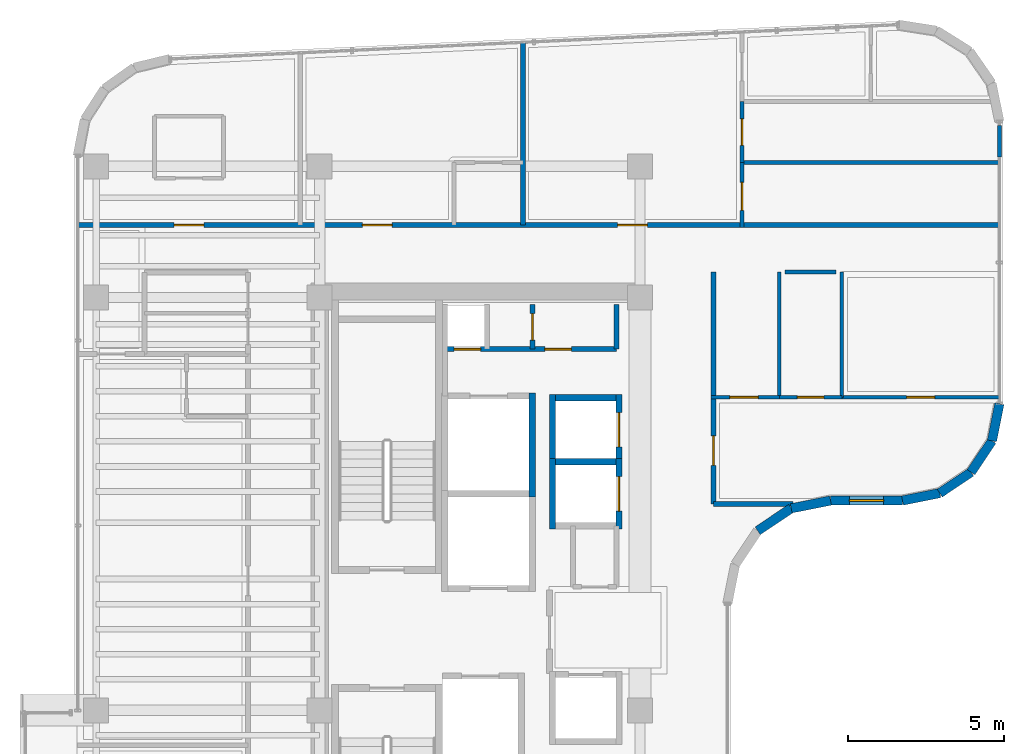
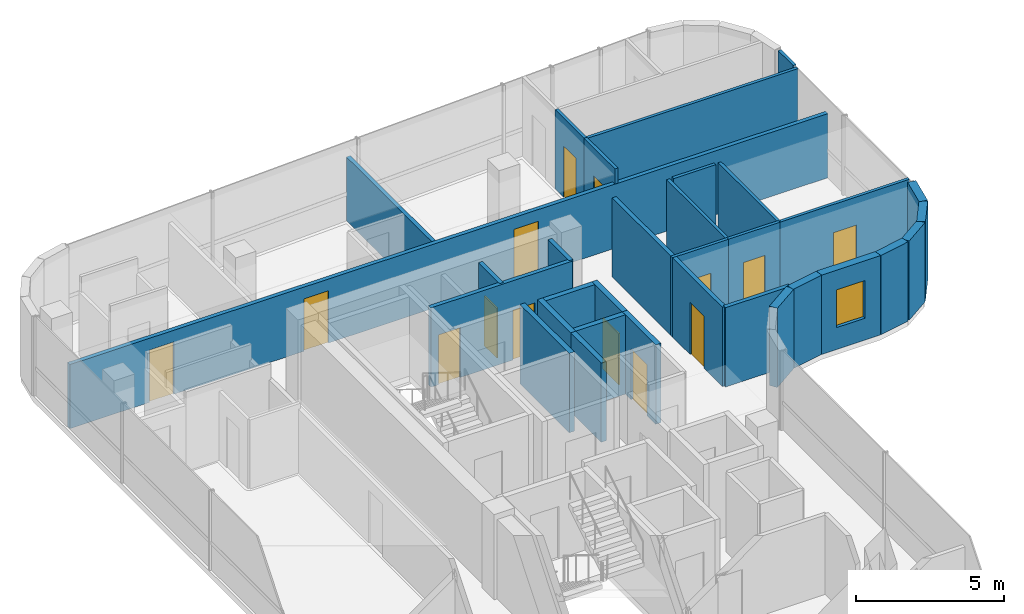
# One storey, part 16 of 19: 31 walls, 14 doors, 1 window, 15 openings.
"""IFC4 building model written with IfcOpenShell, lengths in metres."""

from ifc_helpers import new_model, si_unit, direction, frame, frame_2d, origin, place, context, subcontext, project, spatial, rectangle, extrude, material, layer, layer_set, type_object, element, fill, save


model = new_model("IFC4")

# Units and contexts
model_context = context("Model", 3, precision=1e-05, world=origin(), true_north=direction((0.0, 1.0)))
body_context = subcontext(model_context, "Body", "Model", "MODEL_VIEW")
ifc_project = project(units=[si_unit("LENGTHUNIT", "METRE"), si_unit("AREAUNIT", "SQUARE_METRE"), si_unit("VOLUMEUNIT", "CUBIC_METRE"), si_unit("PLANEANGLEUNIT", "RADIAN"), si_unit("MASSUNIT", "GRAM", prefix="KILO")], contexts=[model_context])

# Site, building, storey
site_placement = place(None, origin())
site = spatial("IfcSite", under=ifc_project, at=site_placement, CompositionType="ELEMENT")
building_placement = place(site_placement, origin())
building = spatial("IfcBuilding", under=site, at=building_placement, Name="Valdorenza Pilgrim Sanctuary Tower", CompositionType="ELEMENT")
storey_placement = place(building_placement, frame((0.0, 0.0, 269.5)))
storey = spatial("IfcBuildingStorey", under=building, at=storey_placement, Name="L70", CompositionType="ELEMENT", Elevation=269.5)

# Wall, openings, doors
ifc_material_1 = material(Name="Acoustic twin-stud gypsum partition", Category="gypsum")
ifc_layer_1 = layer(ifc_material_1, 0.159912109375, Name="Acoustic twin-stud gypsum partition")
ifc_layer_set_1 = layer_set([ifc_layer_1], Name="Acoustic twin-stud gypsum partition")
wall_type_1 = type_object("IfcWallType", Name="WAL-COR-160", PredefinedType="PARTITIONING", material=ifc_layer_set_1)
wall_1_placement = place(storey_placement, frame((-18.64990234375, 8.949951171875, 0.0), z_axis=(0.0, 0.0, 1.0), x_axis=(1.0, 0.0, 0.0)))
wall_1 = element("IfcWall", 1, at=wall_1_placement, inside=storey, type_object=wall_type_1, Name="L70 Core A North Service South Wall", PredefinedType="PARTITIONING", context=body_context, shape_type="SweptSolid", body=[
    extrude(rectangle(XDim=5.5, YDim=0.159912109375, at=frame_2d((2.75, 0.0))), origin(), (0.0, 0.0, 1.0), 3.260009765625),
])
opening_1_placement = place(wall_1_placement, frame((0.300048828125, 0.0, 0.0)))
opening_1 = element("IfcOpeningElement", 2, at=opening_1_placement, cuts=wall_1, Name="Opening DR-RS1", PredefinedType="OPENING", context=body_context, shape_type="SweptSolid", body=[
    extrude(rectangle(XDim=0.85009765625, YDim=2.050048828125, at=frame_2d((0.425048828125, 1.02490234375))), frame((0.0, 0.0947265625, 0.0), z_axis=(0.0, -1.0, 0.0), x_axis=(1.0, 0.0, 0.0)), (0.0, 0.0, 1.0), 0.189697265625),
])
opening_2_placement = place(wall_1_placement, frame((3.199951171875, 0.0, 0.0)))
opening_2 = element("IfcOpeningElement", 3, at=opening_2_placement, cuts=wall_1, Name="Opening DR-RS1", PredefinedType="OPENING", context=body_context, shape_type="SweptSolid", body=[
    extrude(rectangle(XDim=0.85009765625, YDim=2.050048828125, at=frame_2d((0.425048828125, 1.02490234375))), frame((0.0, 0.0947265625, 0.0), z_axis=(0.0, -1.0, 0.0), x_axis=(1.0, 0.0, 0.0)), (0.0, 0.0, 1.0), 0.189697265625),
])
ifc_material_2 = material(Name="Painted galvanized steel", Category="steel")
door_type_1 = type_object("IfcDoorType", Name="DR-RSR-850", OperationType="NOTDEFINED", PredefinedType="DOOR", material=ifc_material_2)
door_1_placement = place(opening_1_placement, origin())
door_1 = element("IfcDoor", 4, at=door_1_placement, inside=storey, type_object=door_type_1, Name="L70 Core Electrical and Telecom Riser Door", OperationType="SINGLE_SWING_LEFT", OverallHeight=2.050048828125, OverallWidth=0.85009765625, PredefinedType="DOOR", context=body_context, shape_type="SweptSolid", body=[
    extrude(rectangle(XDim=0.85009765625, YDim=2.050048828125, at=frame_2d((0.425048828125, 1.02490234375))), frame((0.0, 0.02490234375, 0.0), z_axis=(0.0, -1.0, 0.0), x_axis=(1.0, 0.0, 0.0)), (0.0, 0.0, 1.0), 0.050048828125),
])
fill(opening_1, door_1)
door_2_placement = place(opening_2_placement, origin())
door_2 = element("IfcDoor", 5, at=door_2_placement, inside=storey, type_object=door_type_1, Name="L70 Housekeeping and Clean Linen Room Door", OperationType="SINGLE_SWING_RIGHT", OverallHeight=2.050048828125, OverallWidth=0.85009765625, PredefinedType="DOOR", context=body_context, shape_type="SweptSolid", body=[
    extrude(rectangle(XDim=0.85009765625, YDim=2.050048828125, at=frame_2d((0.425048828125, 1.02490234375))), frame((0.0, 0.02490234375, 0.0), z_axis=(0.0, -1.0, 0.0), x_axis=(1.0, 0.0, 0.0)), (0.0, 0.0, 1.0), 0.050048828125),
])
fill(opening_2, door_2)

# Wall
wall_2_placement = place(storey_placement, frame((-13.14990234375, 8.949951171875, 0.0), z_axis=(0.0, 0.0, 1.0), x_axis=(0.0, 1.0, 0.0)))
element("IfcWall", 6, at=wall_2_placement, inside=storey, type_object=wall_type_1, Name="L70 Core A North Service East Wall", PredefinedType="PARTITIONING", context=body_context, shape_type="SweptSolid", body=[
    extrude(rectangle(XDim=1.429931640625, YDim=0.159912109375, at=frame_2d((0.71484375, 0.0))), origin(), (0.0, 0.0, 1.0), 3.260009765625),
])

# Wall, opening, door
wall_3_placement = place(storey_placement, frame((-15.85009765625, 8.949951171875, 0.0), z_axis=(0.0, 0.0, 1.0), x_axis=(0.0, 1.0, 0.0)))
wall_3 = element("IfcWall", 7, at=wall_3_placement, inside=storey, type_object=wall_type_1, Name="L70 Core A Split C", PredefinedType="PARTITIONING", context=body_context, shape_type="SweptSolid", body=[
    extrude(rectangle(XDim=1.429931640625, YDim=0.159912109375, at=frame_2d((0.71484375, 0.0))), origin(), (0.0, 0.0, 1.0), 3.260009765625),
])
opening_3_placement = place(wall_3_placement, frame((0.2900390625, 0.0, 0.0)))
opening_3 = element("IfcOpeningElement", 8, at=opening_3_placement, cuts=wall_3, Name="Opening DR-RS1", PredefinedType="OPENING", context=body_context, shape_type="SweptSolid", body=[
    extrude(rectangle(XDim=0.85009765625, YDim=2.050048828125, at=frame_2d((0.425048828125, 1.02490234375))), frame((0.0, 0.0947265625, 0.0), z_axis=(0.0, -1.0, 0.0), x_axis=(1.0, 0.0, 0.0)), (0.0, 0.0, 1.0), 0.189697265625),
])
door_3_placement = place(opening_3_placement, origin())
door_3 = element("IfcDoor", 9, at=door_3_placement, inside=storey, type_object=door_type_1, Name="L70 Clean Linen Supply Store Door", OperationType="SINGLE_SWING_LEFT", OverallHeight=2.050048828125, OverallWidth=0.85009765625, PredefinedType="DOOR", context=body_context, shape_type="SweptSolid", body=[
    extrude(rectangle(XDim=0.85009765625, YDim=2.050048828125, at=frame_2d((0.425048828125, 1.02490234375))), frame((0.0, 0.02490234375, 0.0), z_axis=(0.0, -1.0, 0.0), x_axis=(1.0, 0.0, 0.0)), (0.0, 0.0, 1.0), 0.050048828125),
])
fill(opening_3, door_3)

# Wall, openings, doors
wall_4_placement = place(storey_placement, frame((-30.389892578125, 12.919921875, 0.0), z_axis=(0.0, 0.0, 1.0), x_axis=(1.0, 0.0, 0.0)))
wall_4 = element("IfcWall", 10, at=wall_4_placement, inside=storey, type_object=wall_type_1, Name="L70 North Corridor Wall", PredefinedType="PARTITIONING", context=body_context, shape_type="SweptSolid", body=[
    extrude(rectangle(XDim=29.47998046875, YDim=0.159912109375, at=frame_2d((14.739990234375, 0.0))), origin(), (0.0, 0.0, 1.0), 2.634033203125),
])
opening_4_placement = place(wall_4_placement, frame((3.0849609375, 0.0, 0.0)))
opening_4 = element("IfcOpeningElement", 11, at=opening_4_placement, cuts=wall_4, Name="Opening DR-UN1", PredefinedType="OPENING", context=body_context, shape_type="SweptSolid", body=[
    extrude(rectangle(XDim=0.949951171875, YDim=2.14990234375, at=frame_2d((0.47509765625, 1.074951171875))), frame((0.0, 0.0947265625, 0.0), z_axis=(0.0, -1.0, 0.0), x_axis=(1.0, 0.0, 0.0)), (0.0, 0.0, 1.0), 0.189697265625),
])
opening_5_placement = place(wall_4_placement, frame((9.10498046875, 0.0, 0.0)))
opening_5 = element("IfcOpeningElement", 12, at=opening_5_placement, cuts=wall_4, Name="Opening DR-UN1", PredefinedType="OPENING", context=body_context, shape_type="SweptSolid", body=[
    extrude(rectangle(XDim=0.949951171875, YDim=2.14990234375, at=frame_2d((0.47509765625, 1.074951171875))), frame((0.0, 0.0947265625, 0.0), z_axis=(0.0, -1.0, 0.0), x_axis=(1.0, 0.0, 0.0)), (0.0, 0.0, 1.0), 0.189697265625),
])
opening_6_placement = place(wall_4_placement, frame((17.27001953125, 0.0, 0.0)))
opening_6 = element("IfcOpeningElement", 13, at=opening_6_placement, cuts=wall_4, Name="Opening DR-UN1", PredefinedType="OPENING", context=body_context, shape_type="SweptSolid", body=[
    extrude(rectangle(XDim=0.949951171875, YDim=2.14990234375, at=frame_2d((0.47509765625, 1.074951171875))), frame((0.0, 0.0947265625, 0.0), z_axis=(0.0, -1.0, 0.0), x_axis=(1.0, 0.0, 0.0)), (0.0, 0.0, 1.0), 0.189697265625),
])
ifc_material_3 = material(Name="Solid-core European oak timber", Category="wood")
door_type_2 = type_object("IfcDoorType", Name="DR-UNIT-950", OperationType="NOTDEFINED", PredefinedType="DOOR", material=ifc_material_3)
door_4_placement = place(opening_4_placement, frame((0.949951171875, 0.0, 0.0), z_axis=(0.0, 0.0, 1.0), x_axis=(-1.0, 0.0, 0.0)))
door_4 = element("IfcDoor", 14, at=door_4_placement, inside=storey, type_object=door_type_2, Name="L70 North Family Guest Room L70-N1A Entrance Door", OperationType="SINGLE_SWING_LEFT", OverallHeight=2.14990234375, OverallWidth=0.949951171875, PredefinedType="DOOR", context=body_context, shape_type="SweptSolid", body=[
    extrude(rectangle(XDim=0.949951171875, YDim=2.14990234375, at=frame_2d((0.47509765625, 1.074951171875))), frame((0.0, 0.02490234375, 0.0), z_axis=(0.0, -1.0, 0.0), x_axis=(1.0, 0.0, 0.0)), (0.0, 0.0, 1.0), 0.050048828125),
])
fill(opening_4, door_4)
door_5_placement = place(opening_5_placement, frame((0.949951171875, 0.0, 0.0), z_axis=(0.0, 0.0, 1.0), x_axis=(-1.0, 0.0, 0.0)))
door_5 = element("IfcDoor", 15, at=door_5_placement, inside=storey, type_object=door_type_2, Name="L70 North Family Guest Room L70-N1B Entrance Door", OperationType="SINGLE_SWING_LEFT", OverallHeight=2.14990234375, OverallWidth=0.949951171875, PredefinedType="DOOR", context=body_context, shape_type="SweptSolid", body=[
    extrude(rectangle(XDim=0.949951171875, YDim=2.14990234375, at=frame_2d((0.47509765625, 1.074951171875))), frame((0.0, 0.02490234375, 0.0), z_axis=(0.0, -1.0, 0.0), x_axis=(1.0, 0.0, 0.0)), (0.0, 0.0, 1.0), 0.050048828125),
])
fill(opening_5, door_5)
door_6_placement = place(opening_6_placement, frame((0.949951171875, 0.0, 0.0), z_axis=(0.0, 0.0, 1.0), x_axis=(-1.0, 0.0, 0.0)))
door_6 = element("IfcDoor", 16, at=door_6_placement, inside=storey, type_object=door_type_2, Name="L70 North Family Flat L70-N2 Entrance Door", OperationType="SINGLE_SWING_LEFT", OverallHeight=2.14990234375, OverallWidth=0.949951171875, PredefinedType="DOOR", context=body_context, shape_type="SweptSolid", body=[
    extrude(rectangle(XDim=0.949951171875, YDim=2.14990234375, at=frame_2d((0.47509765625, 1.074951171875))), frame((0.0, 0.02490234375, 0.0), z_axis=(0.0, -1.0, 0.0), x_axis=(1.0, 0.0, 0.0)), (0.0, 0.0, 1.0), 0.050048828125),
])
fill(opening_6, door_6)

# Wall, opening, door
wall_5_placement = place(storey_placement, frame((-10.050048828125, 4.0, 0.0), z_axis=(0.0, 0.0, 1.0), x_axis=(0.0, 1.0, 0.0)))
wall_5 = element("IfcWall", 17, at=wall_5_placement, inside=storey, type_object=wall_type_1, Name="L70 East Stub Corridor Wall", PredefinedType="PARTITIONING", context=body_context, shape_type="SweptSolid", body=[
    extrude(rectangle(XDim=7.419921875, YDim=0.159912109375, at=frame_2d((3.7099609375, 0.0))), origin(), (0.0, 0.0, 1.0), 3.260009765625),
])
opening_7_placement = place(wall_5_placement, frame((1.23193359375, 0.0, 0.0)))
opening_7 = element("IfcOpeningElement", 18, at=opening_7_placement, cuts=wall_5, Name="Opening DR-UN1", PredefinedType="OPENING", context=body_context, shape_type="SweptSolid", body=[
    extrude(rectangle(XDim=0.949951171875, YDim=2.14990234375, at=frame_2d((0.47509765625, 1.074951171875))), frame((0.0, 0.0947265625, 0.0), z_axis=(0.0, -1.0, 0.0), x_axis=(1.0, 0.0, 0.0)), (0.0, 0.0, 1.0), 0.189697265625),
])
door_7_placement = place(opening_7_placement, origin())
door_7 = element("IfcDoor", 19, at=door_7_placement, inside=storey, type_object=door_type_2, Name="L70 East Sanctuary Apartment L70-E1 Entrance Door", OperationType="SINGLE_SWING_RIGHT", OverallHeight=2.14990234375, OverallWidth=0.949951171875, PredefinedType="DOOR", context=body_context, shape_type="SweptSolid", body=[
    extrude(rectangle(XDim=0.949951171875, YDim=2.14990234375, at=frame_2d((0.47509765625, 1.074951171875))), frame((0.0, 0.02490234375, 0.0), z_axis=(0.0, -1.0, 0.0), x_axis=(1.0, 0.0, 0.0)), (0.0, 0.0, 1.0), 0.050048828125),
])
fill(opening_7, door_7)

# Walls
wall_6_placement = place(storey_placement, frame((-10.050048828125, 4.0, 0.0), z_axis=(0.0, 0.0, 1.0), x_axis=(1.0, 0.0, 0.0)))
element("IfcWall", 20, at=wall_6_placement, inside=storey, type_object=wall_type_1, Name="L70 East Stub South Wall", PredefinedType="PARTITIONING", context=body_context, shape_type="SweptSolid", body=[
    extrude(rectangle(XDim=2.545654296875, YDim=0.159912109375, at=frame_2d((1.27294921875, 0.0))), origin(), (0.0, 0.0, 1.0), 3.260009765625),
])
ifc_material_4 = material(Name="Honed travertine limestone", Category="masonry")
ifc_layer_2 = layer(ifc_material_4, 0.300048828125, Name="Honed travertine limestone")
ifc_layer_set_2 = layer_set([ifc_layer_2], Name="Honed travertine limestone")
wall_type_2 = type_object("IfcWallType", Name="WAL-EXT-300", PredefinedType="SOLIDWALL", material=ifc_layer_set_2)
wall_7_placement = place(storey_placement, frame((-0.909912109375, 7.210693359375, 0.0), z_axis=(0.0, 0.0, 1.0), x_axis=(-0.195189223115, -0.980765602568, 0.0)))
element("IfcWall", 21, at=wall_7_placement, inside=storey, type_object=wall_type_2, Name="L70 Rounded Wind-Corner Stone Pier 12", PredefinedType="SOLIDWALL", context=body_context, shape_type="SweptSolid", body=[
    extrude(rectangle(XDim=1.2158203125, YDim=0.300048828125, at=frame_2d((0.60791015625, 0.0))), origin(), (0.0, 0.0, 1.0), 3.260009765625),
])
for number, where, z_axis, x_axis, name in (
    (22, (-1.147216796875, 6.018310546875, 0.0), (0.0, 0.0, 1.0), (-0.555635100982, -0.831426265255, 0.0), "L70 Rounded Wind-Corner Stone Pier 13"),
    (23, (-1.816650390625, 5.0166015625, 0.0), (0.0, 0.0, 1.0), (-0.831426265255, -0.555635100982, 0.0), "L70 Rounded Wind-Corner Stone Pier 14"),
):
    element("IfcWall", number, at=place(storey_placement, frame(where, z_axis=z_axis, x_axis=x_axis)), inside=storey, type_object=wall_type_2, Name=name, PredefinedType="SOLIDWALL", context=body_context, shape_type="SweptSolid", body=[
        extrude(rectangle(XDim=1.204833984375, YDim=0.300048828125, at=frame_2d((0.6025390625, 0.0))), origin(), (0.0, 0.0, 1.0), 3.260009765625),
    ])
wall_8_placement = place(storey_placement, frame((-2.818359375, 4.34716796875, 0.0), z_axis=(0.0, 0.0, 1.0), x_axis=(-0.980804027463, -0.194996050505, 0.0)))
element("IfcWall", 24, at=wall_8_placement, inside=storey, type_object=wall_type_2, Name="L70 Rounded Wind-Corner Stone Pier 15", PredefinedType="SOLIDWALL", context=body_context, shape_type="SweptSolid", body=[
    extrude(rectangle(XDim=1.2158203125, YDim=0.300048828125, at=frame_2d((0.60791015625, 0.0))), origin(), (0.0, 0.0, 1.0), 3.260009765625),
])

# Wall, opening, window
wall_9_placement = place(storey_placement, frame((-4.0107421875, 4.110107421875, 0.0), z_axis=(0.0, 0.0, 1.0), x_axis=(-1.0, 0.0, 0.0)))
wall_9 = element("IfcWall", 25, at=wall_9_placement, inside=storey, type_object=wall_type_2, Name="L70 Rounded Wind-Corner Stone Pier 16", PredefinedType="SOLIDWALL", context=body_context, shape_type="SweptSolid", body=[
    extrude(rectangle(XDim=2.300048828125, YDim=0.300048828125, at=frame_2d((1.14990234375, 0.0))), origin(), (0.0, 0.0, 1.0), 3.260009765625),
])
opening_8_placement = place(wall_9_placement, frame((0.60009765625, 0.0, 0.89990234375)))
opening_8 = element("IfcOpeningElement", 26, at=opening_8_placement, cuts=wall_9, Name="Opening WN-CR1", PredefinedType="OPENING", context=body_context, shape_type="SweptSolid", body=[
    extrude(rectangle(XDim=1.10009765625, YDim=1.550048828125, at=frame_2d((0.550048828125, 0.77490234375))), frame((0.0, 0.1650390625, 0.0), z_axis=(0.0, -1.0, 0.0), x_axis=(1.0, 0.0, 0.0)), (0.0, 0.0, 1.0), 0.329833984375),
])
ifc_material_5 = material(Name="Ceramic-fritted low-E IGU glazing", Category="glass")
window_type = type_object("IfcWindowType", Name="WIN-CRN-1200", PartitioningType="SINGLE_PANEL", PredefinedType="WINDOW", material=ifc_material_5)
window_placement = place(opening_8_placement, origin())
window = element("IfcWindow", 27, at=window_placement, inside=storey, type_object=window_type, Name="L70 Rounded Corner Slot Window 16", OverallHeight=1.550048828125, OverallWidth=1.10009765625, PartitioningType="SINGLE_PANEL", PredefinedType="WINDOW", context=body_context, shape_type="SweptSolid", body=[
    extrude(rectangle(XDim=1.10009765625, YDim=1.550048828125, at=frame_2d((0.550048828125, 0.77490234375))), frame((0.0, 0.030029296875, 0.0), z_axis=(0.0, -1.0, 0.0), x_axis=(1.0, 0.0, 0.0)), (0.0, 0.0, 1.0), 0.06005859375),
])
fill(opening_8, window)

# Walls
wall_10_placement = place(storey_placement, frame((-6.310791015625, 4.110107421875, 0.0), z_axis=(0.0, 0.0, 1.0), x_axis=(-0.980778058848, -0.195126623715, 0.0)))
element("IfcWall", 28, at=wall_10_placement, inside=storey, type_object=wall_type_2, Name="L70 Rounded Wind-Corner Stone Pier 17", PredefinedType="SOLIDWALL", context=body_context, shape_type="SweptSolid", body=[
    extrude(rectangle(XDim=1.28125, YDim=0.300048828125, at=frame_2d((0.640625, 0.0))), origin(), (0.0, 0.0, 1.0), 3.260009765625),
])
wall_11_placement = place(storey_placement, frame((-7.5673828125, 3.860107421875, 0.0), z_axis=(0.0, 0.0, 1.0), x_axis=(-0.831497739511, -0.555528135371, 0.0)))
element("IfcWall", 29, at=wall_11_placement, inside=storey, type_object=wall_type_2, Name="L70 Rounded Wind-Corner Stone Pier 18", PredefinedType="SOLIDWALL", context=body_context, shape_type="SweptSolid", body=[
    extrude(rectangle(XDim=1.29248046875, YDim=0.300048828125, at=frame_2d((0.646240234375, 0.0))), origin(), (0.0, 0.0, 1.0), 3.260009765625),
])
ifc_material_6 = material(Name="Moisture-resistant gypsum partition", Category="gypsum")
ifc_layer_3 = layer(ifc_material_6, 0.1201171875, Name="Moisture-resistant gypsum partition")
ifc_layer_set_3 = layer_set([ifc_layer_3], Name="Moisture-resistant gypsum partition")
wall_type_3 = type_object("IfcWallType", Name="WAL-INT-120", PredefinedType="PARTITIONING", material=ifc_layer_set_3)
wall_12_placement = place(storey_placement, frame((-9.1396484375, 14.919921875, 0.0), z_axis=(0.0, 0.0, 1.0), x_axis=(1.0, 0.0, 0.0)))
element("IfcWall", 30, at=wall_12_placement, inside=storey, type_object=wall_type_3, Name="L70 North Family Flat L70-N2 Bath-Kitchen Wall", PredefinedType="PARTITIONING", context=body_context, shape_type="SweptSolid", body=[
    extrude(rectangle(XDim=8.229736328125, YDim=0.1201171875, at=frame_2d((4.11474609375, 0.0))), origin(), (0.0, 0.0, 1.0), 3.260009765625),
])

# Wall, opening, door
wall_13_placement = place(storey_placement, frame((-9.1396484375, 14.919921875, 0.0), z_axis=(0.0, 0.0, 1.0), x_axis=(0.0, 1.0, 0.0)))
wall_13 = element("IfcWall", 31, at=wall_13_placement, inside=storey, type_object=wall_type_3, Name="L70 North Family Flat L70-N2 Bathroom Door Wall", PredefinedType="PARTITIONING", context=body_context, shape_type="SweptSolid", body=[
    extrude(rectangle(XDim=1.9501953125, YDim=0.1201171875, at=frame_2d((0.97509765625, 0.0))), origin(), (0.0, 0.0, 1.0), 3.260009765625),
])
opening_9_placement = place(wall_13_placement, frame((0.550048828125, 0.0, 0.0)))
opening_9 = element("IfcOpeningElement", 32, at=opening_9_placement, cuts=wall_13, Name="Opening DR-WC1", PredefinedType="OPENING", context=body_context, shape_type="SweptSolid", body=[
    extrude(rectangle(XDim=0.85009765625, YDim=2.10009765625, at=frame_2d((0.425048828125, 1.050048828125))), frame((0.0, 0.074951171875, 0.0), z_axis=(0.0, -1.0, 0.0), x_axis=(1.0, 0.0, 0.0)), (0.0, 0.0, 1.0), 0.14990234375),
])
ifc_material_7 = material(Name="Moisture-resistant lacquered timber", Category="wood")
door_type_3 = type_object("IfcDoorType", Name="DR-BATH-850", OperationType="NOTDEFINED", PredefinedType="DOOR", material=ifc_material_7)
door_8_placement = place(opening_9_placement, origin())
door_8 = element("IfcDoor", 33, at=door_8_placement, inside=storey, type_object=door_type_3, Name="L70 North Family Flat L70-N2 Bathroom Door", OperationType="SINGLE_SWING_RIGHT", OverallHeight=2.10009765625, OverallWidth=0.85009765625, PredefinedType="DOOR", context=body_context, shape_type="SweptSolid", body=[
    extrude(rectangle(XDim=0.85009765625, YDim=2.10009765625, at=frame_2d((0.425048828125, 1.050048828125))), frame((0.0, 0.02490234375, 0.0), z_axis=(0.0, -1.0, 0.0), x_axis=(1.0, 0.0, 0.0)), (0.0, 0.0, 1.0), 0.050048828125),
])
fill(opening_9, door_8)

wall_14_placement = place(storey_placement, frame((-9.1396484375, 12.840087890625, 0.0), z_axis=(0.0, 0.0, 1.0), x_axis=(0.0, 1.0, 0.0)))
wall_14 = element("IfcWall", 34, at=wall_14_placement, inside=storey, type_object=wall_type_3, Name="L70 North Family Flat L70-N2 Kitchen Door Wall", PredefinedType="PARTITIONING", context=body_context, shape_type="SweptSolid", body=[
    extrude(rectangle(XDim=2.079833984375, YDim=0.1201171875, at=frame_2d((1.0400390625, 0.0))), origin(), (0.0, 0.0, 1.0), 3.260009765625),
])
opening_10_placement = place(wall_14_placement, frame((0.550048828125, 0.0, 0.0)))
opening_10 = element("IfcOpeningElement", 35, at=opening_10_placement, cuts=wall_14, Name="Opening DR-RM1", PredefinedType="OPENING", context=body_context, shape_type="SweptSolid", body=[
    extrude(rectangle(XDim=0.89990234375, YDim=2.10009765625, at=frame_2d((0.449951171875, 1.050048828125))), frame((0.0, 0.074951171875, 0.0), z_axis=(0.0, -1.0, 0.0), x_axis=(1.0, 0.0, 0.0)), (0.0, 0.0, 1.0), 0.14990234375),
])
door_type_4 = type_object("IfcDoorType", Name="DR-ROOM-900", OperationType="NOTDEFINED", PredefinedType="DOOR", material=ifc_material_3)
door_9_placement = place(opening_10_placement, origin())
door_9 = element("IfcDoor", 36, at=door_9_placement, inside=storey, type_object=door_type_4, Name="L70 North Family Flat L70-N2 Kitchen Door", OperationType="SINGLE_SWING_LEFT", OverallHeight=2.10009765625, OverallWidth=0.89990234375, PredefinedType="DOOR", context=body_context, shape_type="SweptSolid", body=[
    extrude(rectangle(XDim=0.89990234375, YDim=2.10009765625, at=frame_2d((0.449951171875, 1.050048828125))), frame((0.0, 0.02490234375, 0.0), z_axis=(0.0, -1.0, 0.0), x_axis=(1.0, 0.0, 0.0)), (0.0, 0.0, 1.0), 0.050048828125),
])
fill(opening_10, door_9)

# Walls
wall_15_placement = place(storey_placement, frame((-0.909912109375, 15.10009765625, 0.0), z_axis=(0.0, 0.0, 1.0), x_axis=(0.0, 1.0, 0.0)))
element("IfcWall", 37, at=wall_15_placement, inside=storey, type_object=wall_type_3, Name="L70 NW-FL2-BTH Enclosure Wall E", PredefinedType="PARTITIONING", context=body_context, shape_type="SweptSolid", body=[
    extrude(rectangle(XDim=1.01171875, YDim=0.1201171875, at=frame_2d((0.505859375, 0.0))), origin(), (0.0, 0.0, 1.0), 3.260009765625),
])
for number, where, z_axis, x_axis, name in (
    (38, (-7.949951171875, 7.4130859375, 0.0), (0.0, 0.0, 1.0), (0.0, 1.0, 0.0), "L70 East Sanctuary Apartment L70-E1 Bath-Kitchen Wall"),
    (39, (-5.949951171875, 7.4130859375, 0.0), (0.0, 0.0, 1.0), (0.0, 1.0, 0.0), "L70 East Sanctuary Apartment L70-E1 Kitchen-Bedroom Wall"),
):
    element("IfcWall", number, at=place(storey_placement, frame(where, z_axis=z_axis, x_axis=x_axis)), inside=storey, type_object=wall_type_3, Name=name, PredefinedType="PARTITIONING", context=body_context, shape_type="SweptSolid", body=[
        extrude(rectangle(XDim=4.0068359375, YDim=0.1201171875, at=frame_2d((2.00341796875, 0.0))), origin(), (0.0, 0.0, 1.0), 3.260009765625),
    ])

# Wall, opening, door
wall_16_placement = place(storey_placement, frame((-7.949951171875, 7.4130859375, 0.0), z_axis=(0.0, 0.0, 1.0), x_axis=(1.0, 0.0, 0.0)))
wall_16 = element("IfcWall", 40, at=wall_16_placement, inside=storey, type_object=wall_type_3, Name="L70 East Sanctuary Apartment L70-E1 Bathroom Door Wall", PredefinedType="PARTITIONING", context=body_context, shape_type="SweptSolid", body=[
    extrude(rectangle(XDim=2.0, YDim=0.1201171875, at=frame_2d((1.0, 0.0))), origin(), (0.0, 0.0, 1.0), 3.260009765625),
])
opening_11_placement = place(wall_16_placement, frame((0.574951171875, 0.0, 0.0)))
opening_11 = element("IfcOpeningElement", 41, at=opening_11_placement, cuts=wall_16, Name="Opening DR-WC1", PredefinedType="OPENING", context=body_context, shape_type="SweptSolid", body=[
    extrude(rectangle(XDim=0.85009765625, YDim=2.10009765625, at=frame_2d((0.425048828125, 1.050048828125))), frame((0.0, 0.074951171875, 0.0), z_axis=(0.0, -1.0, 0.0), x_axis=(1.0, 0.0, 0.0)), (0.0, 0.0, 1.0), 0.14990234375),
])
door_10_placement = place(opening_11_placement, origin())
door_10 = element("IfcDoor", 42, at=door_10_placement, inside=storey, type_object=door_type_3, Name="L70 East Sanctuary Apartment L70-E1 Bathroom Door", OperationType="SINGLE_SWING_LEFT", OverallHeight=2.10009765625, OverallWidth=0.85009765625, PredefinedType="DOOR", context=body_context, shape_type="SweptSolid", body=[
    extrude(rectangle(XDim=0.85009765625, YDim=2.10009765625, at=frame_2d((0.425048828125, 1.050048828125))), frame((0.0, 0.02490234375, 0.0), z_axis=(0.0, -1.0, 0.0), x_axis=(1.0, 0.0, 0.0)), (0.0, 0.0, 1.0), 0.050048828125),
])
fill(opening_11, door_10)

wall_17_placement = place(storey_placement, frame((-10.1298828125, 7.4130859375, 0.0), z_axis=(0.0, 0.0, 1.0), x_axis=(1.0, 0.0, 0.0)))
wall_17 = element("IfcWall", 43, at=wall_17_placement, inside=storey, type_object=wall_type_3, Name="L70 East Sanctuary Apartment L70-E1 Kitchen Door Wall", PredefinedType="PARTITIONING", context=body_context, shape_type="SweptSolid", body=[
    extrude(rectangle(XDim=2.179931640625, YDim=0.1201171875, at=frame_2d((1.08984375, 0.0))), origin(), (0.0, 0.0, 1.0), 3.260009765625),
])
opening_12_placement = place(wall_17_placement, frame((0.60009765625, 0.0, 0.0)))
opening_12 = element("IfcOpeningElement", 44, at=opening_12_placement, cuts=wall_17, Name="Opening DR-RM1", PredefinedType="OPENING", context=body_context, shape_type="SweptSolid", body=[
    extrude(rectangle(XDim=0.89990234375, YDim=2.10009765625, at=frame_2d((0.449951171875, 1.050048828125))), frame((0.0, 0.074951171875, 0.0), z_axis=(0.0, -1.0, 0.0), x_axis=(1.0, 0.0, 0.0)), (0.0, 0.0, 1.0), 0.14990234375),
])
door_11_placement = place(opening_12_placement, origin())
door_11 = element("IfcDoor", 45, at=door_11_placement, inside=storey, type_object=door_type_4, Name="L70 East Sanctuary Apartment L70-E1 Kitchen Door", OperationType="SINGLE_SWING_RIGHT", OverallHeight=2.10009765625, OverallWidth=0.89990234375, PredefinedType="DOOR", context=body_context, shape_type="SweptSolid", body=[
    extrude(rectangle(XDim=0.89990234375, YDim=2.10009765625, at=frame_2d((0.449951171875, 1.050048828125))), frame((0.0, 0.02490234375, 0.0), z_axis=(0.0, -1.0, 0.0), x_axis=(1.0, 0.0, 0.0)), (0.0, 0.0, 1.0), 0.050048828125),
])
fill(opening_12, door_11)

wall_18_placement = place(storey_placement, frame((-5.949951171875, 7.4130859375, 0.0), z_axis=(0.0, 0.0, 1.0), x_axis=(1.0, 0.0, 0.0)))
wall_18 = element("IfcWall", 46, at=wall_18_placement, inside=storey, type_object=wall_type_3, Name="L70 East Sanctuary Apartment L70-E1 Bedroom Door Wall", PredefinedType="PARTITIONING", context=body_context, shape_type="SweptSolid", body=[
    extrude(rectangle(XDim=5.0400390625, YDim=0.1201171875, at=frame_2d((2.52001953125, 0.0))), origin(), (0.0, 0.0, 1.0), 3.260009765625),
])
opening_13_placement = place(wall_18_placement, frame((2.070068359375, 0.0, 0.0)))
opening_13 = element("IfcOpeningElement", 47, at=opening_13_placement, cuts=wall_18, Name="Opening DR-RM1", PredefinedType="OPENING", context=body_context, shape_type="SweptSolid", body=[
    extrude(rectangle(XDim=0.89990234375, YDim=2.10009765625, at=frame_2d((0.449951171875, 1.050048828125))), frame((0.0, 0.074951171875, 0.0), z_axis=(0.0, -1.0, 0.0), x_axis=(1.0, 0.0, 0.0)), (0.0, 0.0, 1.0), 0.14990234375),
])
door_12_placement = place(opening_13_placement, frame((0.89990234375, 0.0, 0.0), z_axis=(0.0, 0.0, 1.0), x_axis=(-1.0, 0.0, 0.0)))
door_12 = element("IfcDoor", 48, at=door_12_placement, inside=storey, type_object=door_type_4, Name="L70 East Sanctuary Apartment L70-E1 Bedroom Door", OperationType="SINGLE_SWING_LEFT", OverallHeight=2.10009765625, OverallWidth=0.89990234375, PredefinedType="DOOR", context=body_context, shape_type="SweptSolid", body=[
    extrude(rectangle(XDim=0.89990234375, YDim=2.10009765625, at=frame_2d((0.449951171875, 1.050048828125))), frame((0.0, 0.02490234375, 0.0), z_axis=(0.0, -1.0, 0.0), x_axis=(1.0, 0.0, 0.0)), (0.0, 0.0, 1.0), 0.050048828125),
])
fill(opening_13, door_12)

# Walls
wall_19_placement = place(storey_placement, frame((-7.77001953125, 11.419921875, 0.0), z_axis=(0.0, 0.0, 1.0), x_axis=(1.0, 0.0, 0.0)))
element("IfcWall", 49, at=wall_19_placement, inside=storey, type_object=wall_type_3, Name="L70 ESTB-S1-BTH Enclosure Wall N", PredefinedType="PARTITIONING", context=body_context, shape_type="SweptSolid", body=[
    extrude(rectangle(XDim=1.64013671875, YDim=0.1201171875, at=frame_2d((0.820068359375, 0.0))), origin(), (0.0, 0.0, 1.0), 3.260009765625),
])
ifc_material_8 = material(Name="Autoclaved aerated concrete blockwork", Category="masonry")
ifc_layer_4 = layer(ifc_material_8, 0.199951171875, Name="Autoclaved aerated concrete blockwork")
ifc_layer_set_4 = layer_set([ifc_layer_4], Name="Autoclaved aerated concrete blockwork")
wall_type_4 = type_object("IfcWallType", Name="WAL-SHF-200", PredefinedType="MOVABLE", material=ifc_layer_set_4)
wall_20_placement = place(storey_placement, frame((-15.85009765625, 4.22509765625, 0.0), z_axis=(0.0, 0.0, 1.0), x_axis=(0.0, 1.0, 0.0)))
element("IfcWall", 50, at=wall_20_placement, inside=storey, type_object=wall_type_4, Name="L70 Lift SVL-01 Hoistway Wall East", PredefinedType="MOVABLE", context=body_context, shape_type="SweptSolid", body=[
    extrude(rectangle(XDim=3.324951171875, YDim=0.199951171875, at=frame_2d((1.66259765625, 0.0))), origin(), (0.0, 0.0, 1.0), 3.260009765625),
])
wall_21_placement = place(storey_placement, frame((-15.199951171875, 3.199951171875, 0.0), z_axis=(0.0, 0.0, 1.0), x_axis=(0.0, 1.0, 0.0)))
element("IfcWall", 51, at=wall_21_placement, inside=storey, type_object=wall_type_4, Name="L70 Lift PL-09 Hoistway Wall West", PredefinedType="MOVABLE", context=body_context, shape_type="SweptSolid", body=[
    extrude(rectangle(XDim=2.25, YDim=0.199951171875, at=frame_2d((1.125, 0.0))), origin(), (0.0, 0.0, 1.0), 3.260009765625),
])

# Wall, opening, door
wall_22_placement = place(storey_placement, frame((-13.080078125, 3.199951171875, 0.0), z_axis=(0.0, 0.0, 1.0), x_axis=(0.0, 1.0, 0.0)))
wall_22 = element("IfcWall", 52, at=wall_22_placement, inside=storey, type_object=wall_type_4, Name="L70 Lift PL-09 Hoistway Wall East", PredefinedType="MOVABLE", context=body_context, shape_type="SweptSolid", body=[
    extrude(rectangle(XDim=2.25, YDim=0.199951171875, at=frame_2d((1.125, 0.0))), origin(), (0.0, 0.0, 1.0), 3.260009765625),
])
opening_14_placement = place(wall_22_placement, frame((0.574951171875, 0.0, 0.0)))
opening_14 = element("IfcOpeningElement", 53, at=opening_14_placement, cuts=wall_22, Name="Opening LD-01", PredefinedType="OPENING", context=body_context, shape_type="SweptSolid", body=[
    extrude(rectangle(XDim=1.10009765625, YDim=2.10009765625, at=frame_2d((0.550048828125, 1.050048828125))), frame((0.0, 0.11474609375, 0.0), z_axis=(0.0, -1.0, 0.0), x_axis=(1.0, 0.0, 0.0)), (0.0, 0.0, 1.0), 0.229736328125),
])
ifc_material_9 = material(Name="Brushed stainless steel Grade 316", Category="steel")
door_type_5 = type_object("IfcDoorType", Name="DR-LFT-1100", OperationType="DOUBLE_DOOR_SLIDING", PredefinedType="DOOR", material=ifc_material_9)
door_13_placement = place(opening_14_placement, origin())
door_13 = element("IfcDoor", 54, at=door_13_placement, inside=storey, type_object=door_type_5, Name="L70 Lift PL-09 Sliding Landing Door", OperationType="DOUBLE_DOOR_SLIDING", OverallHeight=2.10009765625, OverallWidth=1.10009765625, PredefinedType="DOOR", context=body_context, shape_type="SweptSolid", body=[
    extrude(rectangle(XDim=1.10009765625, YDim=2.10009765625, at=frame_2d((0.550048828125, 1.050048828125))), frame((0.0, 0.02490234375, 0.0), z_axis=(0.0, -1.0, 0.0), x_axis=(1.0, 0.0, 0.0)), (0.0, 0.0, 1.0), 0.050048828125),
])
fill(opening_14, door_13)

# Walls
wall_23_placement = place(storey_placement, frame((-15.10009765625, 5.35009765625, 0.0), z_axis=(0.0, 0.0, 1.0), x_axis=(1.0, 0.0, 0.0)))
element("IfcWall", 55, at=wall_23_placement, inside=storey, type_object=wall_type_4, Name="L70 Lift PL-09 Hoistway Wall North", PredefinedType="MOVABLE", context=body_context, shape_type="SweptSolid", body=[
    extrude(rectangle(XDim=1.920166015625, YDim=0.199951171875, at=frame_2d((0.9599609375, 0.0))), origin(), (0.0, 0.0, 1.0), 3.260009765625),
])
wall_24_placement = place(storey_placement, frame((-15.199951171875, 5.25, 0.0), z_axis=(0.0, 0.0, 1.0), x_axis=(0.0, 1.0, 0.0)))
element("IfcWall", 56, at=wall_24_placement, inside=storey, type_object=wall_type_4, Name="L70 Lift PL-10 Hoistway Wall West", PredefinedType="MOVABLE", context=body_context, shape_type="SweptSolid", body=[
    extrude(rectangle(XDim=2.25, YDim=0.199951171875, at=frame_2d((1.125, 0.0))), origin(), (0.0, 0.0, 1.0), 3.260009765625),
])

# Wall, opening, door
wall_25_placement = place(storey_placement, frame((-13.080078125, 5.25, 0.0), z_axis=(0.0, 0.0, 1.0), x_axis=(0.0, 1.0, 0.0)))
wall_25 = element("IfcWall", 57, at=wall_25_placement, inside=storey, type_object=wall_type_4, Name="L70 Lift PL-10 Hoistway Wall East", PredefinedType="MOVABLE", context=body_context, shape_type="SweptSolid", body=[
    extrude(rectangle(XDim=2.25, YDim=0.199951171875, at=frame_2d((1.125, 0.0))), origin(), (0.0, 0.0, 1.0), 3.260009765625),
])
opening_15_placement = place(wall_25_placement, frame((0.574951171875, 0.0, 0.0)))
opening_15 = element("IfcOpeningElement", 58, at=opening_15_placement, cuts=wall_25, Name="Opening LD-01", PredefinedType="OPENING", context=body_context, shape_type="SweptSolid", body=[
    extrude(rectangle(XDim=1.10009765625, YDim=2.10009765625, at=frame_2d((0.550048828125, 1.050048828125))), frame((0.0, 0.11474609375, 0.0), z_axis=(0.0, -1.0, 0.0), x_axis=(1.0, 0.0, 0.0)), (0.0, 0.0, 1.0), 0.229736328125),
])
door_14_placement = place(opening_15_placement, origin())
door_14 = element("IfcDoor", 59, at=door_14_placement, inside=storey, type_object=door_type_5, Name="L70 Lift PL-10 Sliding Landing Door", OperationType="DOUBLE_DOOR_SLIDING", OverallHeight=2.10009765625, OverallWidth=1.10009765625, PredefinedType="DOOR", context=body_context, shape_type="SweptSolid", body=[
    extrude(rectangle(XDim=1.10009765625, YDim=2.10009765625, at=frame_2d((0.550048828125, 1.050048828125))), frame((0.0, 0.02490234375, 0.0), z_axis=(0.0, -1.0, 0.0), x_axis=(1.0, 0.0, 0.0)), (0.0, 0.0, 1.0), 0.050048828125),
])
fill(opening_15, door_14)

# Walls
wall_26_placement = place(storey_placement, frame((-15.10009765625, 7.39990234375, 0.0), z_axis=(0.0, 0.0, 1.0), x_axis=(1.0, 0.0, 0.0)))
element("IfcWall", 60, at=wall_26_placement, inside=storey, type_object=wall_type_4, Name="L70 Lift PL-10 Hoistway Wall North", PredefinedType="MOVABLE", context=body_context, shape_type="SweptSolid", body=[
    extrude(rectangle(XDim=1.920166015625, YDim=0.199951171875, at=frame_2d((0.9599609375, 0.0))), origin(), (0.0, 0.0, 1.0), 3.260009765625),
])
ifc_layer_5 = layer(ifc_material_1, 0.14990234375, Name="Acoustic twin-stud gypsum partition")
ifc_layer_set_5 = layer_set([ifc_layer_5], Name="Acoustic twin-stud gypsum partition")
wall_type_5 = type_object("IfcWallType", Name="WAL-UNT-150", PredefinedType="PARTITIONING", material=ifc_layer_set_5)
wall_27_placement = place(storey_placement, frame((-16.14990234375, 12.919921875, 0.0), z_axis=(0.0, 0.0, 1.0), x_axis=(0.0, 1.0, 0.0)))
element("IfcWall", 61, at=wall_27_placement, inside=storey, type_object=wall_type_5, Name="L70 North Flat Demising 1", PredefinedType="PARTITIONING", context=body_context, shape_type="SweptSolid", body=[
    extrude(rectangle(XDim=5.846435546875, YDim=0.14990234375, at=frame_2d((2.92333984375, 0.0))), origin(), (0.0, 0.0, 1.0), 2.623046875),
])

save(model, "model.ifc")
